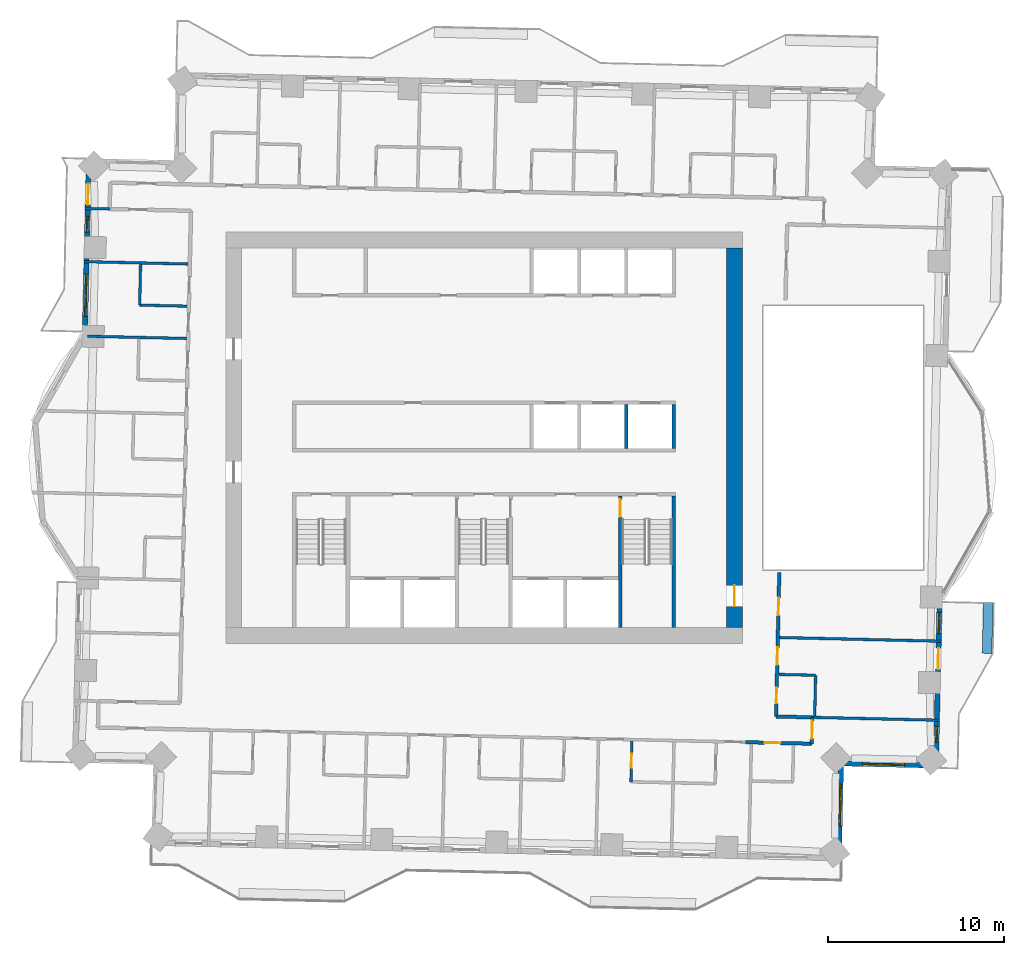
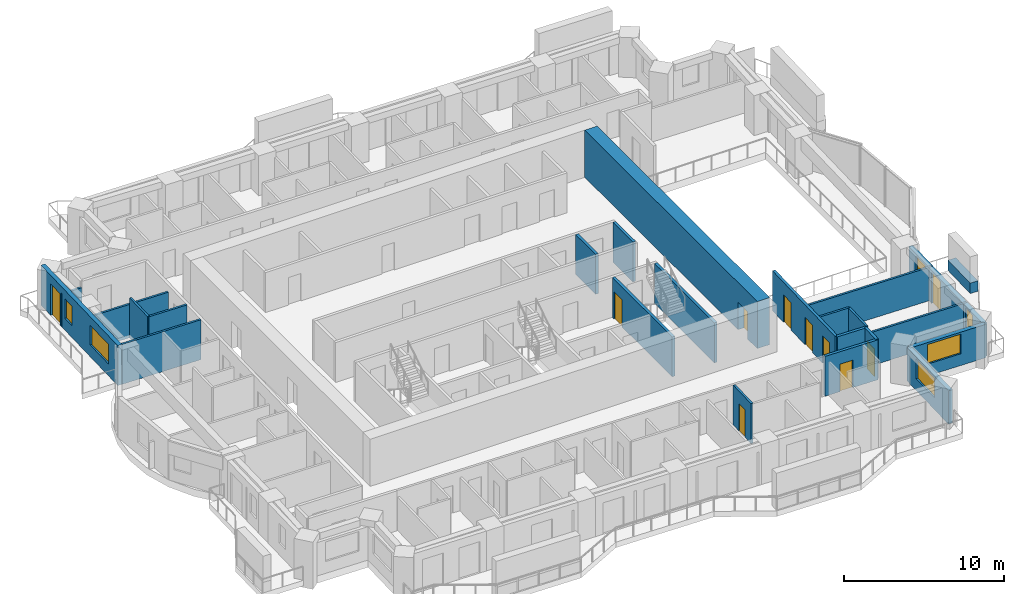
# One storey, part 7 of 14: 24 walls, 10 doors, 6 windows, 16 openings.
"""IFC4 building model written with IfcOpenShell, lengths in metres."""

from ifc_helpers import new_model, si_unit, direction, frame, frame_2d, origin, place, context, subcontext, project, spatial, rectangle, extrude, material, layer, layer_set, type_object, element, fill, save


model = new_model("IFC4")

# Units and contexts
model_context = context("Model", 3, precision=1e-05, world=origin(), true_north=direction((0.0, 1.0)))
body_context = subcontext(model_context, "Body", "Model", "MODEL_VIEW")
ifc_project = project(units=[si_unit("LENGTHUNIT", "METRE"), si_unit("AREAUNIT", "SQUARE_METRE"), si_unit("VOLUMEUNIT", "CUBIC_METRE"), si_unit("PLANEANGLEUNIT", "RADIAN"), si_unit("MASSUNIT", "GRAM", prefix="KILO")], contexts=[model_context])

# Site, building, storey
site_placement = place(None, origin())
site = spatial("IfcSite", under=ifc_project, at=site_placement, CompositionType="ELEMENT")
building_placement = place(site_placement, origin())
building = spatial("IfcBuilding", under=site, at=building_placement, Name="Mangrove Gate Tower", CompositionType="ELEMENT")
storey_placement = place(building_placement, frame((0.0, 0.0, 163.5)))
storey = spatial("IfcBuildingStorey", under=building, at=storey_placement, Name="L41", CompositionType="ELEMENT", Elevation=163.5)

# Walls
ifc_material_1 = material(Name="Concrete C60/75", Category="concrete")
ifc_layer_1 = layer(ifc_material_1, 0.199951171875)
ifc_layer_set_1 = layer_set([ifc_layer_1], Name="Core shaft wall 200 C60/75")
wall_type_1 = type_object("IfcWallType", Name="Core shaft wall 200 C60/75", PredefinedType="SHEAR", material=ifc_layer_set_1)
for number, where, z_axis, x_axis, name in (
    (1, (8.10009765625, -0.60009765625, 0.0), (0.0, 0.0, 1.0), (0.0, 1.0, 0.0), "WALL-L41-CORE-22"),
    (2, (10.800048828125, -0.60009765625, 0.0), (0.0, 0.0, 1.0), (0.0, 1.0, 0.0), "WALL-L41-CORE-23"),
):
    element("IfcWall", number, at=place(storey_placement, frame(where, z_axis=z_axis, x_axis=x_axis)), inside=storey, type_object=wall_type_1, Name=name, PredefinedType="SHEAR", context=body_context, shape_type="SweptSolid", body=[
        extrude(rectangle(XDim=2.5, YDim=0.199951171875, at=frame_2d((1.25, 0.0))), origin(), (0.0, 0.0, 1.0), 3.050048828125),
    ])

# Wall, opening, door
ifc_material_2 = material(Name="Concrete C60/75", Category="concrete")
ifc_layer_2 = layer(ifc_material_2, 0.199951171875)
ifc_layer_set_2 = layer_set([ifc_layer_2], Name="Core stair wall 200 C60/75")
wall_type_2 = type_object("IfcWallType", Name="Core stair wall 200 C60/75", PredefinedType="SHEAR", material=ifc_layer_set_2)
wall_1_placement = place(storey_placement, frame((7.75, -10.800048828125, 0.0), z_axis=(0.0, 0.0, 1.0), x_axis=(0.0, 1.0, 0.0)))
wall_1 = element("IfcWall", 3, at=wall_1_placement, inside=storey, type_object=wall_type_2, Name="WALL-L41-CORE-13", PredefinedType="SHEAR", context=body_context, shape_type="SweptSolid", body=[
    extrude(rectangle(XDim=7.5, YDim=0.199951171875, at=frame_2d((3.75, 0.0))), origin(), (0.0, 0.0, 1.0), 3.050048828125),
])
opening_1_placement = place(wall_1_placement, frame((6.300048828125, 0.0, 0.0)))
opening_1 = element("IfcOpeningElement", 4, at=opening_1_placement, cuts=wall_1, Name="Opening STD10", PredefinedType="OPENING", context=body_context, shape_type="SweptSolid", body=[
    extrude(rectangle(XDim=1.0, YDim=2.10009765625, at=frame_2d((0.5, 1.050048828125))), frame((0.0, 0.10986328125, 0.0), z_axis=(0.0, -1.0, 0.0), x_axis=(1.0, 0.0, 0.0)), (0.0, 0.0, 1.0), 0.219970703125),
])
ifc_material_3 = material(Name="Fire-rated steel door set", Category="steel")
door_type_1 = type_object("IfcDoorType", Name="Stair door FD60 1000x2100", OperationType="SINGLE_SWING_RIGHT", PredefinedType="DOOR", material=ifc_material_3)
door_1_placement = place(opening_1_placement, origin())
door_1 = element("IfcDoor", 5, at=door_1_placement, inside=storey, type_object=door_type_1, Name="Stair door Stair 3 from fire-fighting lobby", OperationType="SINGLE_SWING_RIGHT", OverallHeight=2.10009765625, OverallWidth=1.0, PredefinedType="DOOR", context=body_context, shape_type="SweptSolid", body=[
    extrude(rectangle(XDim=1.0, YDim=2.10009765625, at=frame_2d((0.5, 1.050048828125))), frame((0.0, 0.02490234375, 0.0), z_axis=(0.0, -1.0, 0.0), x_axis=(1.0, 0.0, 0.0)), (0.0, 0.0, 1.0), 0.050048828125),
])
fill(opening_1, door_1)

# Wall
wall_2_placement = place(storey_placement, frame((10.800048828125, -10.800048828125, 0.0), z_axis=(0.0, 0.0, 1.0), x_axis=(0.0, 1.0, 0.0)))
element("IfcWall", 6, at=wall_2_placement, inside=storey, type_object=wall_type_2, Name="WALL-L41-CORE-14", PredefinedType="SHEAR", context=body_context, shape_type="SweptSolid", body=[
    extrude(rectangle(XDim=7.5, YDim=0.199951171875, at=frame_2d((3.75, 0.0))), origin(), (0.0, 0.0, 1.0), 3.050048828125),
])

# Wall, opening, door
ifc_material_4 = material(Name="Concrete C60/75", Category="concrete")
ifc_layer_3 = layer(ifc_material_4, 0.89990234375)
ifc_layer_set_3 = layer_set([ifc_layer_3], Name="Core wall 900 C60/75")
wall_type_3 = type_object("IfcWallType", Name="Core wall 900 C60/75", PredefinedType="SHEAR", material=ifc_layer_set_3)
wall_3_placement = place(storey_placement, frame((14.25, -10.800048828125, 0.0), z_axis=(0.0, 0.0, 1.0), x_axis=(0.0, 1.0, 0.0)))
wall_3 = element("IfcWall", 7, at=wall_3_placement, inside=storey, type_object=wall_type_3, Name="WALL-L41-CORE-4", PredefinedType="SHEAR", context=body_context, shape_type="SweptSolid", body=[
    extrude(rectangle(XDim=21.60009765625, YDim=0.89990234375, at=frame_2d((10.800048828125, 0.0))), origin(), (0.0, 0.0, 1.0), 3.60009765625),
])
opening_2_placement = place(wall_3_placement, frame((1.199951171875, 0.0, 0.0)))
opening_2 = element("IfcOpeningElement", 8, at=opening_2_placement, cuts=wall_3, Name="Opening CD", PredefinedType="OPENING", context=body_context, shape_type="SweptSolid", body=[
    extrude(rectangle(XDim=1.199951171875, YDim=2.10009765625, at=frame_2d((0.60009765625, 1.050048828125))), frame((0.0, 0.4599609375, 0.0), z_axis=(0.0, -1.0, 0.0), x_axis=(1.0, 0.0, 0.0)), (0.0, 0.0, 1.0), 0.919921875),
])
ifc_material_5 = material(Name="Fire-rated steel door set", Category="steel")
door_type_2 = type_object("IfcDoorType", Name="Core ring door FD60 1200x2100", OperationType="DOUBLE_DOOR_SINGLE_SWING", PredefinedType="DOOR", material=ifc_material_5)
door_2_placement = place(opening_2_placement, origin())
door_2 = element("IfcDoor", 9, at=door_2_placement, inside=storey, type_object=door_type_2, Name="Core ring door E1", OperationType="DOUBLE_DOOR_SINGLE_SWING", OverallHeight=2.10009765625, OverallWidth=1.199951171875, PredefinedType="DOOR", context=body_context, shape_type="SweptSolid", body=[
    extrude(rectangle(XDim=1.199951171875, YDim=2.10009765625, at=frame_2d((0.60009765625, 1.050048828125))), frame((0.0, 0.02490234375, 0.0), z_axis=(0.0, -1.0, 0.0), x_axis=(1.0, 0.0, 0.0)), (0.0, 0.0, 1.0), 0.050048828125),
])
fill(opening_2, door_2)

ifc_material_6 = material(Name="Gypsum board on steel stud, EI 60", Category="steel")
ifc_layer_4 = layer(ifc_material_6, 0.199951171875)
ifc_layer_set_4 = layer_set([ifc_layer_4], Name="Corridor wall EI 60")
wall_type_4 = type_object("IfcWallType", Name="Corridor wall EI 60", PredefinedType="PARTITIONING", material=ifc_layer_set_4)
wall_4_placement = place(storey_placement, frame((18.64697265625, -17.4150390625, 0.0), z_axis=(0.0, 0.0, 1.0), x_axis=(0.022617910375, 0.999744182344, 0.0)))
wall_4 = element("IfcWall", 10, at=wall_4_placement, inside=storey, type_object=wall_type_4, Name="WALL-L41-023", PredefinedType="PARTITIONING", context=body_context, shape_type="SweptSolid", body=[
    extrude(rectangle(XDim=1.50048828125, YDim=0.199951171875, at=frame_2d((0.750244140625, 0.0))), origin(), (0.0, 0.0, 1.0), 3.050048828125),
])
opening_3_placement = place(wall_4_placement, frame((0.300048828125, 0.0, 0.0)))
opening_3 = element("IfcOpeningElement", 11, at=opening_3_placement, cuts=wall_4, Name="Opening AD", PredefinedType="OPENING", context=body_context, shape_type="SweptSolid", body=[
    extrude(rectangle(XDim=1.0, YDim=2.10009765625, at=frame_2d((0.5, 1.050048828125))), frame((0.0, 0.10986328125, 0.0), z_axis=(0.0, -1.0, 0.0), x_axis=(1.0, 0.0, 0.0)), (0.0, 0.0, 1.0), 0.219970703125),
])
ifc_material_7 = material(Name="Timber door leaf", Category="wood")
door_type_3 = type_object("IfcDoorType", Name="Amenity door 1000", OperationType="SINGLE_SWING_LEFT", PredefinedType="DOOR", material=ifc_material_7)
door_3_placement = place(opening_3_placement, origin())
door_3 = element("IfcDoor", 12, at=door_3_placement, inside=storey, type_object=door_type_3, Name="DOOR-L41-LNG-c3a", OperationType="SINGLE_SWING_RIGHT", OverallHeight=2.10009765625, OverallWidth=1.0, PredefinedType="DOOR", context=body_context, shape_type="SweptSolid", body=[
    extrude(rectangle(XDim=1.0, YDim=2.10009765625, at=frame_2d((0.5, 1.050048828125))), frame((0.0, 0.02490234375, 0.0), z_axis=(0.0, -1.0, 0.0), x_axis=(1.0, 0.0, 0.0)), (0.0, 0.0, 1.0), 0.050048828125),
])
fill(opening_3, door_3)

wall_5_placement = place(storey_placement, frame((14.8798828125, -17.324951171875, 0.0), z_axis=(0.0, 0.0, 1.0), x_axis=(0.999739622, -0.022818593369, 0.0)))
wall_5 = element("IfcWall", 13, at=wall_5_placement, inside=storey, type_object=wall_type_4, Name="WALL-L41-026", PredefinedType="PARTITIONING", context=body_context, shape_type="SweptSolid", body=[
    extrude(rectangle(XDim=3.76611328125, YDim=0.199951171875, at=frame_2d((1.883056640625, 0.0))), origin(), (0.0, 0.0, 1.0), 3.050048828125),
])
opening_4_placement = place(wall_5_placement, frame((1.077880859375, 0.0, 0.0)))
opening_4 = element("IfcOpeningElement", 14, at=opening_4_placement, cuts=wall_5, Name="Opening SD", PredefinedType="OPENING", context=body_context, shape_type="SweptSolid", body=[
    extrude(rectangle(XDim=0.89990234375, YDim=2.10009765625, at=frame_2d((0.449951171875, 1.050048828125))), frame((0.0, 0.10986328125, 0.0), z_axis=(0.0, -1.0, 0.0), x_axis=(1.0, 0.0, 0.0)), (0.0, 0.0, 1.0), 0.219970703125),
])
ifc_material_8 = material(Name="Timber door leaf", Category="wood")
door_type_4 = type_object("IfcDoorType", Name="Service room door 900", OperationType="SINGLE_SWING_LEFT", PredefinedType="DOOR", material=ifc_material_8)
door_4_placement = place(opening_4_placement, origin())
door_4 = element("IfcDoor", 15, at=door_4_placement, inside=storey, type_object=door_type_4, Name="DOOR-L41-LIN-c3a", OperationType="SINGLE_SWING_LEFT", OverallHeight=2.10009765625, OverallWidth=0.89990234375, PredefinedType="DOOR", context=body_context, shape_type="SweptSolid", body=[
    extrude(rectangle(XDim=0.89990234375, YDim=2.10009765625, at=frame_2d((0.449951171875, 1.050048828125))), frame((0.0, 0.02490234375, 0.0), z_axis=(0.0, -1.0, 0.0), x_axis=(1.0, 0.0, 0.0)), (0.0, 0.0, 1.0), 0.050048828125),
])
fill(opening_4, door_4)

# Wall, openings, doors
wall_6_placement = place(storey_placement, frame((16.611083984375, -15.867919921875, 0.0), z_axis=(0.0, 0.0, 1.0), x_axis=(0.022698399288, 0.999742358145, 0.0)))
wall_6 = element("IfcWall", 16, at=wall_6_placement, inside=storey, type_object=wall_type_4, Name="WALL-L41-028", PredefinedType="PARTITIONING", context=body_context, shape_type="SweptSolid", body=[
    extrude(rectangle(XDim=8.196044921875, YDim=0.199951171875, at=frame_2d((4.09814453125, 0.0))), origin(), (0.0, 0.0, 1.0), 3.050048828125),
])
opening_5_placement = place(wall_6_placement, frame((2.949951171875, 0.0, 0.0)))
opening_5 = element("IfcOpeningElement", 17, at=opening_5_placement, cuts=wall_6, Name="Opening AD", PredefinedType="OPENING", context=body_context, shape_type="SweptSolid", body=[
    extrude(rectangle(XDim=1.0, YDim=2.10009765625, at=frame_2d((0.5, 1.050048828125))), frame((0.0, 0.10986328125, 0.0), z_axis=(0.0, -1.0, 0.0), x_axis=(1.0, 0.0, 0.0)), (0.0, 0.0, 1.0), 0.219970703125),
])
opening_6_placement = place(wall_6_placement, frame((0.75, 0.0, 0.0)))
opening_6 = element("IfcOpeningElement", 18, at=opening_6_placement, cuts=wall_6, Name="Opening SD", PredefinedType="OPENING", context=body_context, shape_type="SweptSolid", body=[
    extrude(rectangle(XDim=0.89990234375, YDim=2.10009765625, at=frame_2d((0.449951171875, 1.050048828125))), frame((0.0, 0.10986328125, 0.0), z_axis=(0.0, -1.0, 0.0), x_axis=(1.0, 0.0, 0.0)), (0.0, 0.0, 1.0), 0.219970703125),
])
opening_7_placement = place(wall_6_placement, frame((5.760986328125, 0.0, 0.0)))
opening_7 = element("IfcOpeningElement", 19, at=opening_7_placement, cuts=wall_6, Name="Opening AD", PredefinedType="OPENING", context=body_context, shape_type="SweptSolid", body=[
    extrude(rectangle(XDim=1.0, YDim=2.10009765625, at=frame_2d((0.5, 1.050048828125))), frame((0.0, 0.10986328125, 0.0), z_axis=(0.0, -1.0, 0.0), x_axis=(1.0, 0.0, 0.0)), (0.0, 0.0, 1.0), 0.219970703125),
])
door_5_placement = place(opening_5_placement, origin())
door_5 = element("IfcDoor", 20, at=door_5_placement, inside=storey, type_object=door_type_3, Name="DOOR-L41-KIT-c3a", OperationType="SINGLE_SWING_LEFT", OverallHeight=2.10009765625, OverallWidth=1.0, PredefinedType="DOOR", context=body_context, shape_type="SweptSolid", body=[
    extrude(rectangle(XDim=1.0, YDim=2.10009765625, at=frame_2d((0.5, 1.050048828125))), frame((0.0, 0.02490234375, 0.0), z_axis=(0.0, -1.0, 0.0), x_axis=(1.0, 0.0, 0.0)), (0.0, 0.0, 1.0), 0.050048828125),
])
fill(opening_5, door_5)
door_6_placement = place(opening_7_placement, origin())
door_6 = element("IfcDoor", 21, at=door_6_placement, inside=storey, type_object=door_type_3, Name="DOOR-L41-STU-c3a", OperationType="SINGLE_SWING_RIGHT", OverallHeight=2.10009765625, OverallWidth=1.0, PredefinedType="DOOR", context=body_context, shape_type="SweptSolid", body=[
    extrude(rectangle(XDim=1.0, YDim=2.10009765625, at=frame_2d((0.5, 1.050048828125))), frame((0.0, 0.02490234375, 0.0), z_axis=(0.0, -1.0, 0.0), x_axis=(1.0, 0.0, 0.0)), (0.0, 0.0, 1.0), 0.050048828125),
])
fill(opening_7, door_6)
door_7_placement = place(opening_6_placement, origin())
door_7 = element("IfcDoor", 22, at=door_7_placement, inside=storey, type_object=door_type_4, Name="DOOR-L41-LIN-c3b", OperationType="SINGLE_SWING_RIGHT", OverallHeight=2.10009765625, OverallWidth=0.89990234375, PredefinedType="DOOR", context=body_context, shape_type="SweptSolid", body=[
    extrude(rectangle(XDim=0.89990234375, YDim=2.10009765625, at=frame_2d((0.449951171875, 1.050048828125))), frame((0.0, 0.02490234375, 0.0), z_axis=(0.0, -1.0, 0.0), x_axis=(1.0, 0.0, 0.0)), (0.0, 0.0, 1.0), 0.050048828125),
])
fill(opening_6, door_7)

# Wall
wall_7_placement = place(storey_placement, frame((16.612060546875, -15.864013671875, 0.0), z_axis=(0.0, 0.0, 1.0), x_axis=(0.999742931749, -0.02267312106, 0.0)))
element("IfcWall", 23, at=wall_7_placement, inside=storey, type_object=wall_type_4, Name="WALL-L41-032", PredefinedType="PARTITIONING", context=body_context, shape_type="SweptSolid", body=[
    extrude(rectangle(XDim=2.0673828125, YDim=0.199951171875, at=frame_2d((1.03369140625, 0.0))), origin(), (0.0, 0.0, 1.0), 3.050048828125),
])

# Wall, openings, door, windows
ifc_material_9 = material(Name="Limestone", Category="masonry")
ifc_layer_5 = layer(ifc_material_9, 0.0400390625, Name="Limestone cladding")
ifc_material_10 = material(Name="Ventilated air gap")
ifc_layer_6 = layer(ifc_material_10, 0.0400390625, Name="Ventilated cavity")
ifc_material_11 = material(Name="Mineral wool insulation")
ifc_layer_7 = layer(ifc_material_11, 0.06005859375, Name="Insulation")
ifc_material_12 = material(Name="Breather membrane")
ifc_layer_8 = layer(ifc_material_12, 0.001953125, Name="Breather membrane")
ifc_material_13 = material(Name="Concrete C20/25 blockwork", Category="masonry")
ifc_layer_9 = layer(ifc_material_13, 0.14990234375, Name="Blockwork backing wall")
ifc_material_14 = material(Name="Gypsum plaster")
ifc_layer_10 = layer(ifc_material_14, 0.008056640625, Name="Internal plaster")
ifc_layer_set_5 = layer_set([ifc_layer_5, ifc_layer_6, ifc_layer_7, ifc_layer_8, ifc_layer_9, ifc_layer_10], Name="External wall 300 limestone cladding")
wall_type_5 = type_object("IfcWallType", Name="External wall 300 limestone cladding", PredefinedType="SOLIDWALL", material=ifc_layer_set_5)
wall_8_placement = place(storey_placement, frame((25.7099609375, -18.65087890625, 0.0), z_axis=(0.0, 0.0, 1.0), x_axis=(0.02274444447, 0.999741311663, 0.0)))
wall_8 = element("IfcWall", 24, at=wall_8_placement, inside=storey, type_object=wall_type_5, Name="WALL-L41-E0", PredefinedType="SOLIDWALL", context=body_context, shape_type="SweptSolid", body=[
    extrude(rectangle(XDim=9.62841796875, YDim=0.300048828125, at=frame_2d((4.814208984375, 0.0))), origin(), (0.0, 0.0, 1.0), 2.550048828125),
])
opening_8_placement = place(wall_8_placement, frame((1.3369140625, 0.0, 0.89990234375)))
opening_8 = element("IfcOpeningElement", 25, at=opening_8_placement, cuts=wall_8, Name="Opening W5", PredefinedType="OPENING", context=body_context, shape_type="SweptSolid", body=[
    extrude(rectangle(XDim=0.89990234375, YDim=1.5, at=frame_2d((0.449951171875, 0.75))), frame((0.0, 0.159912109375, 0.0), z_axis=(0.0, -1.0, 0.0), x_axis=(1.0, 0.0, 0.0)), (0.0, 0.0, 1.0), 0.320068359375),
])
opening_9_placement = place(wall_8_placement, frame((5.48095703125, 0.0, 0.0)))
opening_9 = element("IfcOpeningElement", 26, at=opening_9_placement, cuts=wall_8, Name="Opening BD2", PredefinedType="OPENING", context=body_context, shape_type="SweptSolid", body=[
    extrude(rectangle(XDim=1.199951171875, YDim=2.39990234375, at=frame_2d((0.60009765625, 1.199951171875))), frame((0.0, 0.159912109375, 0.0), z_axis=(0.0, -1.0, 0.0), x_axis=(1.0, 0.0, 0.0)), (0.0, 0.0, 1.0), 0.320068359375),
])
opening_10_placement = place(wall_8_placement, frame((7.511962890625, 0.0, 0.89990234375)))
opening_10 = element("IfcOpeningElement", 27, at=opening_10_placement, cuts=wall_8, Name="Opening W1", PredefinedType="OPENING", context=body_context, shape_type="SweptSolid", body=[
    extrude(rectangle(XDim=1.199951171875, YDim=1.5, at=frame_2d((0.60009765625, 0.75))), frame((0.0, 0.159912109375, 0.0), z_axis=(0.0, -1.0, 0.0), x_axis=(1.0, 0.0, 0.0)), (0.0, 0.0, 1.0), 0.320068359375),
])
ifc_material_15 = material(Name="Aluminium frame with laminated clear glass", Category="aluminium")
door_type_5 = type_object("IfcDoorType", Name="Balcony sliding door 1200x2400", OperationType="SLIDING_TO_LEFT", PredefinedType="DOOR", material=ifc_material_15)
door_8_placement = place(opening_9_placement, origin())
door_8 = element("IfcDoor", 28, at=door_8_placement, inside=storey, type_object=door_type_5, Name="DOOR-L41-E0-2", OperationType="SLIDING_TO_LEFT", OverallHeight=2.39990234375, OverallWidth=1.199951171875, PredefinedType="DOOR", context=body_context, shape_type="SweptSolid", body=[
    extrude(rectangle(XDim=1.199951171875, YDim=2.39990234375, at=frame_2d((0.60009765625, 1.199951171875))), frame((0.0, 0.02490234375, 0.0), z_axis=(0.0, -1.0, 0.0), x_axis=(1.0, 0.0, 0.0)), (0.0, 0.0, 1.0), 0.050048828125),
])
fill(opening_9, door_8)
ifc_material_16 = material(Name="Aluminium frame with double-glazed low-e glass", Category="aluminium")
window_type_1 = type_object("IfcWindowType", Name="Narrow window 900x1500", PartitioningType="SINGLE_PANEL", PredefinedType="WINDOW", material=ifc_material_16)
window_1_placement = place(opening_8_placement, origin())
window_1 = element("IfcWindow", 29, at=window_1_placement, inside=storey, type_object=window_type_1, Name="WIN-L41-E0-1", OverallHeight=1.5, OverallWidth=0.89990234375, PartitioningType="SINGLE_PANEL", PredefinedType="WINDOW", context=body_context, shape_type="SweptSolid", body=[
    extrude(rectangle(XDim=0.89990234375, YDim=1.5, at=frame_2d((0.449951171875, 0.75))), frame((0.0, 0.030029296875, 0.0), z_axis=(0.0, -1.0, 0.0), x_axis=(1.0, 0.0, 0.0)), (0.0, 0.0, 1.0), 0.06005859375),
])
fill(opening_8, window_1)
ifc_material_17 = material(Name="Aluminium frame with double-glazed low-e glass", Category="aluminium")
window_type_2 = type_object("IfcWindowType", Name="Side lite 1200x1500", PartitioningType="SINGLE_PANEL", PredefinedType="WINDOW", material=ifc_material_17)
window_2_placement = place(opening_10_placement, origin())
window_2 = element("IfcWindow", 30, at=window_2_placement, inside=storey, type_object=window_type_2, Name="WIN-L41-E0-3", OverallHeight=1.5, OverallWidth=1.199951171875, PartitioningType="SINGLE_PANEL", PredefinedType="WINDOW", context=body_context, shape_type="SweptSolid", body=[
    extrude(rectangle(XDim=1.199951171875, YDim=1.5, at=frame_2d((0.60009765625, 0.75))), frame((0.0, 0.030029296875, 0.0), z_axis=(0.0, -1.0, 0.0), x_axis=(1.0, 0.0, 0.0)), (0.0, 0.0, 1.0), 0.06005859375),
])
fill(opening_10, window_2)

wall_9_placement = place(storey_placement, frame((-22.5009765625, 15.7509765625, 0.0), z_axis=(0.0, 0.0, 1.0), x_axis=(-0.022737995473, -0.999741458359, 0.0)))
wall_9 = element("IfcWall", 31, at=wall_9_placement, inside=storey, type_object=wall_type_5, Name="WALL-L41-W8", PredefinedType="SOLIDWALL", context=body_context, shape_type="SweptSolid", body=[
    extrude(rectangle(XDim=10.028564453125, YDim=0.300048828125, at=frame_2d((5.01416015625, 0.0))), origin(), (0.0, 0.0, 1.0), 3.050048828125),
])
opening_11_placement = place(wall_9_placement, frame((1.287109375, 0.0, 0.0)))
opening_11 = element("IfcOpeningElement", 32, at=opening_11_placement, cuts=wall_9, Name="Opening BD2", PredefinedType="OPENING", context=body_context, shape_type="SweptSolid", body=[
    extrude(rectangle(XDim=1.199951171875, YDim=2.39990234375, at=frame_2d((0.60009765625, 1.199951171875))), frame((0.0, 0.159912109375, 0.0), z_axis=(0.0, -1.0, 0.0), x_axis=(1.0, 0.0, 0.0)), (0.0, 0.0, 1.0), 0.320068359375),
])
opening_12_placement = place(wall_9_placement, frame((3.14404296875, 0.0, 0.89990234375)))
opening_12 = element("IfcOpeningElement", 33, at=opening_12_placement, cuts=wall_9, Name="Opening W5", PredefinedType="OPENING", context=body_context, shape_type="SweptSolid", body=[
    extrude(rectangle(XDim=0.89990234375, YDim=1.5, at=frame_2d((0.449951171875, 0.75))), frame((0.0, 0.159912109375, 0.0), z_axis=(0.0, -1.0, 0.0), x_axis=(1.0, 0.0, 0.0)), (0.0, 0.0, 1.0), 0.320068359375),
])
opening_13_placement = place(wall_9_placement, frame((6.43701171875, 0.0, 0.89990234375)))
opening_13 = element("IfcOpeningElement", 34, at=opening_13_placement, cuts=wall_9, Name="Opening W2", PredefinedType="OPENING", context=body_context, shape_type="SweptSolid", body=[
    extrude(rectangle(XDim=2.39990234375, YDim=1.5, at=frame_2d((1.199951171875, 0.75))), frame((0.0, 0.159912109375, 0.0), z_axis=(0.0, -1.0, 0.0), x_axis=(1.0, 0.0, 0.0)), (0.0, 0.0, 1.0), 0.320068359375),
])
door_9_placement = place(opening_11_placement, origin())
door_9 = element("IfcDoor", 35, at=door_9_placement, inside=storey, type_object=door_type_5, Name="DOOR-L41-W8-1", OperationType="SLIDING_TO_LEFT", OverallHeight=2.39990234375, OverallWidth=1.199951171875, PredefinedType="DOOR", context=body_context, shape_type="SweptSolid", body=[
    extrude(rectangle(XDim=1.199951171875, YDim=2.39990234375, at=frame_2d((0.60009765625, 1.199951171875))), frame((0.0, 0.02490234375, 0.0), z_axis=(0.0, -1.0, 0.0), x_axis=(1.0, 0.0, 0.0)), (0.0, 0.0, 1.0), 0.050048828125),
])
fill(opening_11, door_9)
ifc_material_18 = material(Name="Aluminium frame with double-glazed low-e glass", Category="aluminium")
window_type_3 = type_object("IfcWindowType", Name="Corner room window 2400x1500", PartitioningType="DOUBLE_PANEL_VERTICAL", PredefinedType="WINDOW", material=ifc_material_18)
window_3_placement = place(opening_13_placement, origin())
window_3 = element("IfcWindow", 36, at=window_3_placement, inside=storey, type_object=window_type_3, Name="WIN-L41-W8-3", OverallHeight=1.5, OverallWidth=2.39990234375, PartitioningType="DOUBLE_PANEL_VERTICAL", PredefinedType="WINDOW", context=body_context, shape_type="SweptSolid", body=[
    extrude(rectangle(XDim=2.39990234375, YDim=1.5, at=frame_2d((1.199951171875, 0.75))), frame((0.0, 0.030029296875, 0.0), z_axis=(0.0, -1.0, 0.0), x_axis=(1.0, 0.0, 0.0)), (0.0, 0.0, 1.0), 0.06005859375),
])
fill(opening_13, window_3)
window_4_placement = place(opening_12_placement, origin())
window_4 = element("IfcWindow", 37, at=window_4_placement, inside=storey, type_object=window_type_1, Name="WIN-L41-W8-2", OverallHeight=1.5, OverallWidth=0.89990234375, PartitioningType="SINGLE_PANEL", PredefinedType="WINDOW", context=body_context, shape_type="SweptSolid", body=[
    extrude(rectangle(XDim=0.89990234375, YDim=1.5, at=frame_2d((0.449951171875, 0.75))), frame((0.0, 0.030029296875, 0.0), z_axis=(0.0, -1.0, 0.0), x_axis=(1.0, 0.0, 0.0)), (0.0, 0.0, 1.0), 0.06005859375),
])
fill(opening_12, window_4)

# Wall, opening, window
wall_10_placement = place(storey_placement, frame((20.18896484375, -23.927001953125, 0.0), z_axis=(0.0, 0.0, 1.0), x_axis=(0.022789195272, 0.999740292565, 0.0)))
wall_10 = element("IfcWall", 38, at=wall_10_placement, inside=storey, type_object=wall_type_5, Name="WALL-L41-E14", PredefinedType="SOLIDWALL", context=body_context, shape_type="SweptSolid", body=[
    extrude(rectangle(XDim=5.3994140625, YDim=0.300048828125, at=frame_2d((2.69970703125, 0.0))), origin(), (0.0, 0.0, 1.0), 2.550048828125),
])
opening_14_placement = place(wall_10_placement, frame((1.81005859375, 0.0, 0.89990234375)))
opening_14 = element("IfcOpeningElement", 39, at=opening_14_placement, cuts=wall_10, Name="Opening W2", PredefinedType="OPENING", context=body_context, shape_type="SweptSolid", body=[
    extrude(rectangle(XDim=2.39990234375, YDim=1.5, at=frame_2d((1.199951171875, 0.75))), frame((0.0, 0.159912109375, 0.0), z_axis=(0.0, -1.0, 0.0), x_axis=(1.0, 0.0, 0.0)), (0.0, 0.0, 1.0), 0.320068359375),
])
window_5_placement = place(opening_14_placement, origin())
window_5 = element("IfcWindow", 40, at=window_5_placement, inside=storey, type_object=window_type_3, Name="WIN-L41-E14-1", OverallHeight=1.5, OverallWidth=2.39990234375, PartitioningType="DOUBLE_PANEL_VERTICAL", PredefinedType="WINDOW", context=body_context, shape_type="SweptSolid", body=[
    extrude(rectangle(XDim=2.39990234375, YDim=1.5, at=frame_2d((1.199951171875, 0.75))), frame((0.0, 0.030029296875, 0.0), z_axis=(0.0, -1.0, 0.0), x_axis=(1.0, 0.0, 0.0)), (0.0, 0.0, 1.0), 0.06005859375),
])
fill(opening_14, window_5)

wall_11_placement = place(storey_placement, frame((20.31201171875, -18.529052734375, 0.0), z_axis=(0.0, 0.0, 1.0), x_axis=(0.999745417973, -0.02256322766, 0.0)))
wall_11 = element("IfcWall", 41, at=wall_11_placement, inside=storey, type_object=wall_type_5, Name="WALL-L41-S15", PredefinedType="SOLIDWALL", context=body_context, shape_type="SweptSolid", body=[
    extrude(rectangle(XDim=5.3994140625, YDim=0.300048828125, at=frame_2d((2.69970703125, 0.0))), origin(), (0.0, 0.0, 1.0), 2.550048828125),
])
opening_15_placement = place(wall_11_placement, frame((1.219970703125, 0.0, 0.89990234375)))
opening_15 = element("IfcOpeningElement", 42, at=opening_15_placement, cuts=wall_11, Name="Opening W2", PredefinedType="OPENING", context=body_context, shape_type="SweptSolid", body=[
    extrude(rectangle(XDim=2.39990234375, YDim=1.5, at=frame_2d((1.199951171875, 0.75))), frame((0.0, 0.159912109375, 0.0), z_axis=(0.0, -1.0, 0.0), x_axis=(1.0, 0.0, 0.0)), (0.0, 0.0, 1.0), 0.320068359375),
])
window_6_placement = place(opening_15_placement, origin())
window_6 = element("IfcWindow", 43, at=window_6_placement, inside=storey, type_object=window_type_3, Name="WIN-L41-S15-1", OverallHeight=1.5, OverallWidth=2.39990234375, PartitioningType="DOUBLE_PANEL_VERTICAL", PredefinedType="WINDOW", context=body_context, shape_type="SweptSolid", body=[
    extrude(rectangle(XDim=2.39990234375, YDim=1.5, at=frame_2d((1.199951171875, 0.75))), frame((0.0, 0.030029296875, 0.0), z_axis=(0.0, -1.0, 0.0), x_axis=(1.0, 0.0, 0.0)), (0.0, 0.0, 1.0), 0.06005859375),
])
fill(opening_15, window_6)

# Wall, opening, door
ifc_material_19 = material(Name="Gypsum board on steel stud, EI 60", Category="steel")
ifc_layer_11 = layer(ifc_material_19, 0.14990234375)
ifc_layer_set_6 = layer_set([ifc_layer_11], Name="Party wall 150 EI 60")
wall_type_6 = type_object("IfcWallType", Name="Party wall 150 EI 60", PredefinedType="PARTITIONING", material=ifc_layer_set_6)
wall_12_placement = place(storey_placement, frame((8.35498046875, -19.58203125, 0.0), z_axis=(0.0, 0.0, 1.0), x_axis=(0.022781023197, 0.999740478815, 0.0)))
wall_12 = element("IfcWall", 44, at=wall_12_placement, inside=storey, type_object=wall_type_6, Name="WALL-L41-014", PredefinedType="PARTITIONING", context=body_context, shape_type="SweptSolid", body=[
    extrude(rectangle(XDim=2.325439453125, YDim=0.14990234375, at=frame_2d((1.16259765625, 0.0))), origin(), (0.0, 0.0, 1.0), 3.050048828125),
])
opening_16_placement = place(wall_12_placement, frame((0.800048828125, 0.0, 0.0)))
opening_16 = element("IfcOpeningElement", 45, at=opening_16_placement, cuts=wall_12, Name="Opening ED", PredefinedType="OPENING", context=body_context, shape_type="SweptSolid", body=[
    extrude(rectangle(XDim=0.800048828125, YDim=2.10009765625, at=frame_2d((0.39990234375, 1.050048828125))), frame((0.0, 0.0849609375, 0.0), z_axis=(0.0, -1.0, 0.0), x_axis=(1.0, 0.0, 0.0)), (0.0, 0.0, 1.0), 0.169921875),
])
ifc_material_20 = material(Name="Timber door leaf", Category="wood")
door_type_6 = type_object("IfcDoorType", Name="En-suite door 800", OperationType="SINGLE_SWING_LEFT", PredefinedType="DOOR", material=ifc_material_20)
door_10_placement = place(opening_16_placement, origin())
door_10 = element("IfcDoor", 46, at=door_10_placement, inside=storey, type_object=door_type_6, Name="DOOR-L41-ENS-c206", OperationType="SINGLE_SWING_RIGHT", OverallHeight=2.10009765625, OverallWidth=0.800048828125, PredefinedType="DOOR", context=body_context, shape_type="SweptSolid", body=[
    extrude(rectangle(XDim=0.800048828125, YDim=2.10009765625, at=frame_2d((0.39990234375, 1.050048828125))), frame((0.0, 0.02490234375, 0.0), z_axis=(0.0, -1.0, 0.0), x_axis=(1.0, 0.0, 0.0)), (0.0, 0.0, 1.0), 0.050048828125),
])
fill(opening_16, door_10)

# Walls
wall_13_placement = place(storey_placement, frame((18.81201171875, -15.843017578125, 0.0), z_axis=(0.0, 0.0, 1.0), x_axis=(0.02279059109, 0.999740260747, 0.0)))
element("IfcWall", 47, at=wall_13_placement, inside=storey, type_object=wall_type_6, Name="WALL-L41-029", PredefinedType="PARTITIONING", context=body_context, shape_type="SweptSolid", body=[
    extrude(rectangle(XDim=2.324462890625, YDim=0.14990234375, at=frame_2d((1.162109375, 0.0))), origin(), (0.0, 0.0, 1.0), 3.050048828125),
])
wall_14_placement = place(storey_placement, frame((18.675048828125, -15.910888671875, 0.0), z_axis=(0.0, 0.0, 1.0), x_axis=(0.999743624132, -0.022642570706, 0.0)))
element("IfcWall", 48, at=wall_14_placement, inside=storey, type_object=wall_type_6, Name="WALL-L41-033", PredefinedType="PARTITIONING", context=body_context, shape_type="SweptSolid", body=[
    extrude(rectangle(XDim=7.245849609375, YDim=0.14990234375, at=frame_2d((3.623046875, 0.0))), origin(), (0.0, 0.0, 1.0), 2.550048828125),
])
wall_15_placement = place(storey_placement, frame((16.76708984375, -13.467041015625, 0.0), z_axis=(0.0, 0.0, 1.0), x_axis=(0.999740212033, -0.022792727877, 0.0)))
element("IfcWall", 49, at=wall_15_placement, inside=storey, type_object=wall_type_6, Name="WALL-L41-034", PredefinedType="PARTITIONING", context=body_context, shape_type="SweptSolid", body=[
    extrude(rectangle(XDim=2.099365234375, YDim=0.14990234375, at=frame_2d((1.0498046875, 0.0))), origin(), (0.0, 0.0, 1.0), 3.050048828125),
])
wall_16_placement = place(storey_placement, frame((16.81396484375, -11.367919921875, 0.0), z_axis=(0.0, 0.0, 1.0), x_axis=(0.999742492059, -0.02269250035, 0.0)))
element("IfcWall", 50, at=wall_16_placement, inside=storey, type_object=wall_type_6, Name="WALL-L41-036", PredefinedType="PARTITIONING", context=body_context, shape_type="SweptSolid", body=[
    extrude(rectangle(XDim=9.20947265625, YDim=0.14990234375, at=frame_2d((4.604736328125, 0.0))), origin(), (0.0, 0.0, 1.0), 2.550048828125),
])
wall_17_placement = place(storey_placement, frame((-22.577880859375, 5.780029296875, 0.0), z_axis=(0.0, 0.0, 1.0), x_axis=(0.999746200787, -0.022528515532, 0.0)))
element("IfcWall", 51, at=wall_17_placement, inside=storey, type_object=wall_type_6, Name="WALL-L41-046", PredefinedType="PARTITIONING", context=body_context, shape_type="SweptSolid", body=[
    extrude(rectangle(XDim=5.63525390625, YDim=0.14990234375, at=frame_2d((2.817626953125, 0.0))), origin(), (0.0, 0.0, 1.0), 3.050048828125),
])
wall_18_placement = place(storey_placement, frame((-19.60205078125, 7.552978515625, 0.0), z_axis=(0.0, 0.0, 1.0), x_axis=(0.99974458177, -0.022600248254, 0.0)))
element("IfcWall", 52, at=wall_18_placement, inside=storey, type_object=wall_type_6, Name="WALL-L41-047", PredefinedType="PARTITIONING", context=body_context, shape_type="SweptSolid", body=[
    extrude(rectangle(XDim=2.70068359375, YDim=0.14990234375, at=frame_2d((1.350341796875, 0.0))), origin(), (0.0, 0.0, 1.0), 3.050048828125),
])
wall_19_placement = place(storey_placement, frame((-19.60693359375, 7.55810546875, 0.0), z_axis=(0.0, 0.0, 1.0), x_axis=(0.022781023197, 0.999740478815, 0.0)))
element("IfcWall", 53, at=wall_19_placement, inside=storey, type_object=wall_type_6, Name="WALL-L41-048", PredefinedType="PARTITIONING", context=body_context, shape_type="SweptSolid", body=[
    extrude(rectangle(XDim=2.325439453125, YDim=0.14990234375, at=frame_2d((1.16259765625, 0.0))), origin(), (0.0, 0.0, 1.0), 3.050048828125),
])
wall_20_placement = place(storey_placement, frame((-22.781005859375, 10.02587890625, 0.0), z_axis=(0.0, 0.0, 1.0), x_axis=(0.999745855039, -0.022543853533, 0.0)))
element("IfcWall", 54, at=wall_20_placement, inside=storey, type_object=wall_type_6, Name="WALL-L41-050", PredefinedType="PARTITIONING", context=body_context, shape_type="SweptSolid", body=[
    extrude(rectangle(XDim=5.9345703125, YDim=0.14990234375, at=frame_2d((2.96728515625, 0.0))), origin(), (0.0, 0.0, 1.0), 2.550048828125),
])
wall_21_placement = place(storey_placement, frame((-22.712890625, 13.054931640625, 0.0), z_axis=(0.0, 0.0, 1.0), x_axis=(0.999756172383, -0.022081571112, 0.0)))
element("IfcWall", 55, at=wall_21_placement, inside=storey, type_object=wall_type_6, Name="WALL-L41-051", PredefinedType="PARTITIONING", context=body_context, shape_type="SweptSolid", body=[
    extrude(rectangle(XDim=1.404052734375, YDim=0.14990234375, at=frame_2d((0.7021484375, 0.0))), origin(), (0.0, 0.0, 1.0), 2.550048828125),
])
ifc_material_21 = material(Name="Concrete C32/40", Category="concrete")
ifc_layer_12 = layer(ifc_material_21, 0.199951171875, Name="Planter trough wall")
ifc_material_22 = material(Name="Bituminous waterproofing membrane")
ifc_layer_13 = layer(ifc_material_22, 0.0048828125, Name="Waterproofing")
ifc_material_23 = material(Name="Drainage board and gravel")
ifc_layer_14 = layer(ifc_material_23, 0.044921875, Name="Drainage layer")
ifc_material_24 = material(Name="Planting soil")
ifc_layer_15 = layer(ifc_material_24, 0.300048828125, Name="Growing medium")
ifc_layer_set_7 = layer_set([ifc_layer_12, ifc_layer_13, ifc_layer_14, ifc_layer_15], Name="Planter wall 550 C32/40")
wall_type_7 = type_object("IfcWallType", Name="Planter wall 550 C32/40", PredefinedType="USERDEFINED", material=ifc_layer_set_7)
wall_22_placement = place(storey_placement, frame((28.62109375, -12.26611328125, 0.0), z_axis=(0.0, 0.0, 1.0), x_axis=(0.022590224177, 0.999744808324, 0.0)))
element("IfcWall", 56, at=wall_22_placement, inside=storey, type_object=wall_type_7, Name="PLANTER L41 E0.1", ObjectType="PLANTER", PredefinedType="USERDEFINED", context=body_context, shape_type="SweptSolid", body=[
    extrude(rectangle(XDim=2.874755859375, YDim=0.550048828125, at=frame_2d((1.4375, 0.0))), origin(), (0.0, 0.0, 1.0), 0.800048828125),
])

save(model, "model.ifc")
